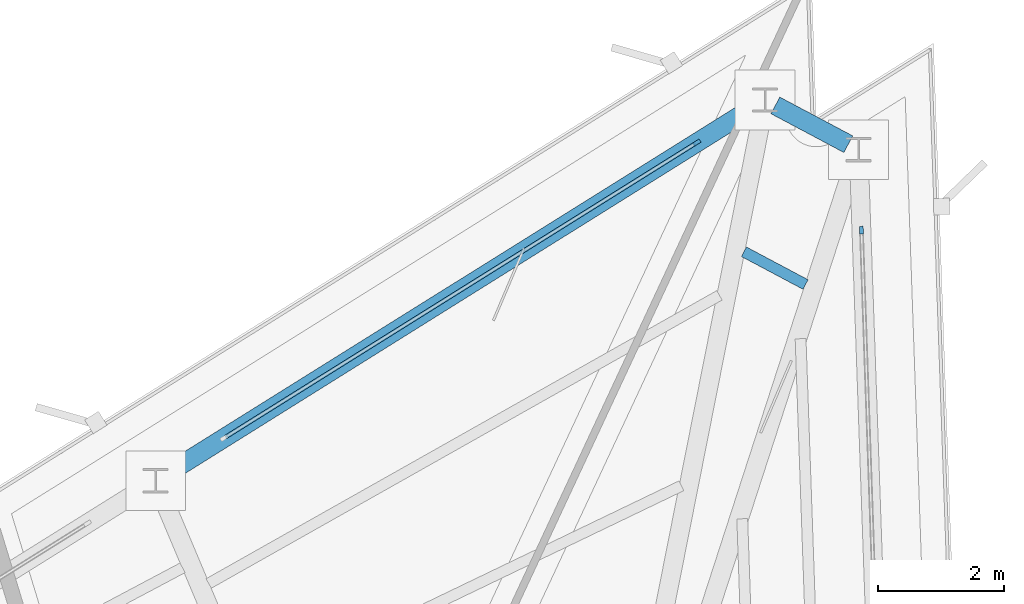
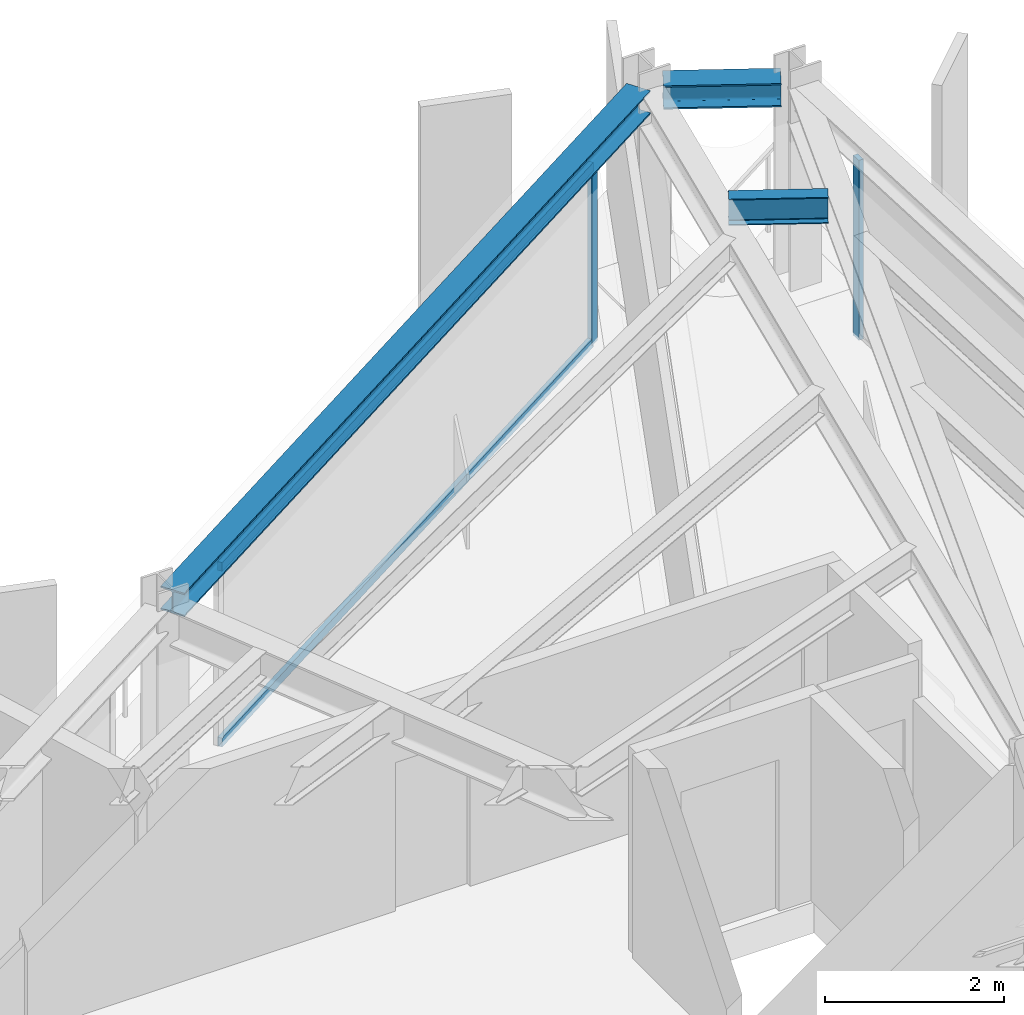
# One storey, part 7 of 13: 4 members, 3 beams, 2 elements without a shape of their own.
"""IFC4 building model written with IfcOpenShell, lengths in metres."""

import ifcopenshell
import ifcopenshell.guid

model = None  # the IFC model being written
_history = None  # IfcOwnerHistory: only IFC2X3 demands one
_inside = {}  # id of a spatial element -> (the spatial element, [elements in it])
_under = {}  # id of a project, library or spatial element -> (it, [spatial elements below it])
_declared = {}  # id of a project -> (the project, [libraries it declares])
_typed = {}  # id of a type object -> (the type object, [elements of that type])
_made_of = {}  # id of a material, layer set ... -> (it, [elements and type objects made of it])


def new_model(schema):
    """Start an empty IFC model of exactly this schema.

    Asked for "IFC4X3", IfcOpenShell would pick the latest addendum, in which some entities
    have other attributes; the version numbers below select the first issue.
    IFC2X3 requires an IfcOwnerHistory on every rooted entity: one is made here for all.
    """
    global model, _history
    if schema == "IFC4X3":
        model = ifcopenshell.file(schema_version=(4, 3, 0, 0))
    else:
        model = ifcopenshell.file(schema=schema)
    _inside.clear()
    _under.clear()
    _declared.clear()
    _typed.clear()
    _made_of.clear()
    _history = None
    if model.schema == "IFC2X3":
        org = make("IfcOrganization", Name="unknown")
        user = make(
            "IfcPersonAndOrganization",
            ThePerson=make("IfcPerson", FamilyName="unknown"),
            TheOrganization=org,
        )
        app = make(
            "IfcApplication",
            ApplicationDeveloper=org,
            Version="unknown",
            ApplicationFullName="unknown",
            ApplicationIdentifier="unknown",
        )
        _history = make(
            "IfcOwnerHistory",
            OwningUser=user,
            OwningApplication=app,
            ChangeAction="ADDED",
            CreationDate=0,
        )
    return model


def make(cls, **values):
    """One entity of the class cls with the attributes given. An attribute that is None is left unset."""
    return model.create_entity(
        cls, **{name: value for name, value in values.items() if value is not None}
    )


def rooted(cls, **values):
    """An entity with a GlobalId (a new one), such as an element, a storey or a relation."""
    return make(cls, GlobalId=ifcopenshell.guid.new(), OwnerHistory=_history, **values)


def si_unit(unit_type, name, prefix=None):
    """IfcSIUnit, for example si_unit("LENGTHUNIT", "METRE", prefix="MILLI")."""
    return make("IfcSIUnit", UnitType=unit_type, Prefix=prefix, Name=name)


def assignment(units):
    """IfcUnitAssignment: the units of a project."""
    return None if units is None else make("IfcUnitAssignment", Units=units)


def point(xyz):
    """IfcCartesianPoint."""
    return None if xyz is None else make("IfcCartesianPoint", Coordinates=xyz)


def direction(xyz):
    """IfcDirection."""
    return None if xyz is None else make("IfcDirection", DirectionRatios=xyz)


def frame(location, z_axis=None, x_axis=None):
    """IfcAxis2Placement3D, a coordinate frame: its origin and axes. An axis left out is left unset."""
    return make(
        "IfcAxis2Placement3D",
        Location=point(location),
        Axis=direction(z_axis),
        RefDirection=direction(x_axis),
    )


def frame_2d(location, x_axis=None):
    """IfcAxis2Placement2D, a coordinate frame in the plane: its origin and x axis."""
    return make(
        "IfcAxis2Placement2D", Location=point(location), RefDirection=direction(x_axis)
    )


def origin():
    """The frame at (0, 0, 0) with its axes left unset."""
    return frame((0.0, 0.0, 0.0))


def origin_2d():
    """The frame at (0, 0) in the plane with its x axis left unset."""
    return frame_2d((0.0, 0.0))


def place(relative_to, where):
    """IfcLocalPlacement: puts the frame where relative to a parent placement (None: the world)."""
    return make(
        "IfcLocalPlacement", PlacementRelTo=relative_to, RelativePlacement=where
    )


def context(
    kind, dimensions, precision=None, world=None, true_north=None, identifier=None
):
    """IfcGeometricRepresentationContext, for example the 3D "Model" context."""
    return make(
        "IfcGeometricRepresentationContext",
        ContextIdentifier=identifier,
        ContextType=kind,
        CoordinateSpaceDimension=dimensions,
        Precision=precision,
        WorldCoordinateSystem=world,
        TrueNorth=true_north,
    )


def subcontext(parent, identifier, kind, view, scale=None):
    """IfcGeometricRepresentationSubContext, for example "Body" below "Model"."""
    return make(
        "IfcGeometricRepresentationSubContext",
        ContextIdentifier=identifier,
        ContextType=kind,
        ParentContext=parent,
        TargetScale=scale,
        TargetView=view,
    )


def project(units=None, contexts=None):
    """IfcProject with its units and contexts."""
    return rooted(
        "IfcProject",
        Name="project",
        RepresentationContexts=contexts,
        UnitsInContext=assignment(units),
    )


def spatial(cls, under=None, at=None, **own):
    """A site, building, storey or space (cls), placed at a placement, below another one or the project."""
    s = rooted(cls, ObjectPlacement=at, **own)
    if under is not None:
        _under.setdefault(under.id(), (under, []))[1].append(s)
    return s


def profile(cls, at=None, kind="AREA", **sizes):
    """A parametric profile (cls). Its sizes go by their IFC names, for example OverallWidth=200.0."""
    return make(cls, ProfileType=kind, Position=at, **sizes)


def rectangle(**sizes):
    """IfcRectangleProfileDef."""
    return profile("IfcRectangleProfileDef", **sizes)


def i_section(**sizes):
    """IfcIShapeProfileDef."""
    return profile("IfcIShapeProfileDef", **sizes)


def extrude(swept, where, along, depth):
    """IfcExtrudedAreaSolid: the profile swept, set in the frame where, extruded along a direction by depth."""
    return make(
        "IfcExtrudedAreaSolid",
        SweptArea=swept,
        Position=where,
        ExtrudedDirection=direction(along),
        Depth=depth,
    )


def shape(context_of_items, identifier, shape_type, items):
    """IfcShapeRepresentation: the items that make up one representation, for example the "Body"."""
    return make(
        "IfcShapeRepresentation",
        ContextOfItems=context_of_items,
        RepresentationIdentifier=identifier,
        RepresentationType=shape_type,
        Items=items,
    )


def material(Name=None, Category=None):
    """IfcMaterial."""
    return make("IfcMaterial", Name=Name, Category=Category)


def layer(
    of_material, thickness, ventilated=None, Name=None, Category=None, Priority=None
):
    """IfcMaterialLayer: one layer of a wall or slab, of a material (None: an air gap)."""
    return make(
        "IfcMaterialLayer",
        Material=of_material,
        LayerThickness=thickness,
        IsVentilated=ventilated,
        Name=Name,
        Category=Category,
        Priority=Priority,
    )


def layer_set(layers, Name=None):
    """IfcMaterialLayerSet."""
    return make("IfcMaterialLayerSet", MaterialLayers=layers, LayerSetName=Name)


def material_profile(
    of_material, cross_section, Name=None, Category=None, Priority=None
):
    """IfcMaterialProfile: a cross section and its material."""
    return make(
        "IfcMaterialProfile",
        Name=Name,
        Material=of_material,
        Profile=cross_section,
        Priority=Priority,
        Category=Category,
    )


def profile_set(profiles, Name=None, composite=None):
    """IfcMaterialProfileSet."""
    return make(
        "IfcMaterialProfileSet",
        Name=Name,
        MaterialProfiles=profiles,
        CompositeProfile=composite,
    )


def made_of(thing, what):
    """Note that an element or type object is made of a material, layer set ...; save() writes the relation."""
    if what is not None:
        _made_of.setdefault(what.id(), (what, []))[1].append(thing)
    return thing


def type_object(cls, material=None, **own):
    """A type object (cls), such as IfcWallType, which elements share."""
    return made_of(rooted(cls, **own), material)


def element(
    cls,
    number,
    at=None,
    inside=None,
    cuts=None,
    type_object=None,
    material=None,
    context=None,
    identifier="Body",
    shape_type=None,
    held_by="IfcProductDefinitionShape",
    body=None,
    shapes=None,
    **own,
):
    """One element of the class cls, such as IfcWall. Its Tag is "e" and its number.

    at: its placement. inside: the storey or other place that contains it. cuts: it is an
    opening in that element (IfcRelVoidsElement). A single representation is given by context,
    identifier, shape_type and body (its items); several are given by shapes. held_by: the class
    of the entity that holds the representations. save() writes the other relations.
    """
    e = rooted(cls, Tag="e%d" % number, ObjectPlacement=at, **own)
    if body is not None:
        shapes = [shape(context, identifier, shape_type, body)]
    if shapes is not None:
        e.Representation = make(held_by, Representations=shapes)
    if inside is not None:
        _inside.setdefault(inside.id(), (inside, []))[1].append(e)
    if cuts is not None:
        rooted(
            "IfcRelVoidsElement", RelatingBuildingElement=cuts, RelatedOpeningElement=e
        )
    if type_object is not None:
        _typed.setdefault(type_object.id(), (type_object, []))[1].append(e)
    return made_of(e, material)


def aggregate(whole, parts):
    """IfcRelAggregates: a whole, such as a stair, and the parts it consists of."""
    return rooted("IfcRelAggregates", RelatingObject=whole, RelatedObjects=parts)


def save(model, path):
    """Write the relations noted so far, then the file.

    IfcRelAggregates (storeys below a building ...), IfcRelContainedInSpatialStructure (elements
    in a storey), IfcRelDefinesByType, IfcRelAssociatesMaterial and IfcRelDeclares: one each for
    every whole, place, type object, material and project.
    """
    for whole, parts in _under.values():
        aggregate(whole, parts)
    for where, things in _inside.values():
        rooted(
            "IfcRelContainedInSpatialStructure",
            RelatedElements=things,
            RelatingStructure=where,
        )
    for kind, things in _typed.values():
        rooted("IfcRelDefinesByType", RelatedObjects=things, RelatingType=kind)
    for what, things in _made_of.values():
        rooted("IfcRelAssociatesMaterial", RelatedObjects=things, RelatingMaterial=what)
    for by, libraries in _declared.values():
        rooted("IfcRelDeclares", RelatingContext=by, RelatedDefinitions=libraries)
    model.write(path)


model = new_model("IFC4")

# Units and contexts
model_context = context("Model", 3, precision=1e-05, world=origin(), true_north=direction((0.0, 1.0)))
body_context = subcontext(model_context, "Body", "Model", "MODEL_VIEW")
ifc_project = project(units=[si_unit("LENGTHUNIT", "METRE"), si_unit("AREAUNIT", "SQUARE_METRE"), si_unit("VOLUMEUNIT", "CUBIC_METRE"), si_unit("PLANEANGLEUNIT", "RADIAN"), si_unit("MASSUNIT", "GRAM", prefix="KILO")], contexts=[model_context])

# Site, building, storey
site_placement = place(None, origin())
site = spatial("IfcSite", under=ifc_project, at=site_placement, CompositionType="ELEMENT")
building_placement = place(site_placement, origin())
building = spatial("IfcBuilding", under=site, at=building_placement, Name="Rocaltana Carrier Exchange", CompositionType="ELEMENT")
storey_placement = place(building_placement, frame((0.0, 0.0, 193.60009765625)))
storey = spatial("IfcBuildingStorey", under=building, at=storey_placement, Name="L61", CompositionType="ELEMENT", Elevation=193.60009765625)

# Curtain wall, member
ifc_material_1 = material(Name="Aluminium 6063-T6", Category="aluminium")
ifc_layer = layer(ifc_material_1, 0.1201171875)
ifc_layer_set = layer_set([ifc_layer], Name="Aluminium 6063-T6")
curtain_wall_type = type_object("IfcCurtainWallType", Name="High-Altitude Thermal Curtain Wall CW-05", PredefinedType="NOTDEFINED", material=ifc_layer_set)
curtain_wall_1_placement = place(storey_placement, origin())
curtain_wall_1 = element("IfcCurtainWall", 1, at=curtain_wall_1_placement, inside=storey, type_object=curtain_wall_type, Name="L61 CW-05 Run CW-L61-F1S3", PredefinedType="NOTDEFINED")
ifc_material_2 = material(Name="Aluminium 6063-T6", Category="aluminium")
ifc_material_profile_1 = material_profile(ifc_material_2, rectangle(XDim=0.06005859375, YDim=0.1201171875, at=origin_2d()), Name="AL-60X120")
ifc_profile_set_1 = profile_set([ifc_material_profile_1], Name="Aluminium 6063-T6")
member_type_1 = type_object("IfcMemberType", Name="CW-05 Mullion AL-60X120", PredefinedType="MULLION", material=ifc_profile_set_1)
member_1_placement = place(storey_placement, frame((10.31396484375, 16.239990234375, 0.0), z_axis=(0.0, 0.0, 1.0), x_axis=(-0.999390720156, -0.034902556738, 0.0)))
member_1 = element("IfcMember", 2, at=member_1_placement, type_object=member_type_1, Name="CW-05 mullion 2", PredefinedType="MULLION", context=body_context, shape_type="SweptSolid", body=[
    extrude(rectangle(XDim=0.06005859375, YDim=0.1201171875, at=origin_2d()), origin(), (0.0, 0.0, 1.0), 2.447998046875),
])
aggregate(curtain_wall_1, [member_1])

# Curtain wall, members
curtain_wall_2_placement = place(storey_placement, origin())
curtain_wall_2 = element("IfcCurtainWall", 3, at=curtain_wall_2_placement, inside=storey, type_object=curtain_wall_type, Name="L61 CW-05 Run CW-L61-F2S1", PredefinedType="NOTDEFINED")
member_2_placement = place(storey_placement, frame((7.696044921875, 17.6318359375, 0.0), z_axis=(0.0, 0.0, 1.0), x_axis=(0.529928503412, -0.848042322807, 0.0)))
member_2 = element("IfcMember", 4, at=member_2_placement, type_object=member_type_1, Name="CW-05 mullion 1", PredefinedType="MULLION", context=body_context, shape_type="SweptSolid", body=[
    extrude(rectangle(XDim=0.06005859375, YDim=0.1201171875, at=origin_2d()), origin(), (0.0, 0.0, 1.0), 2.447998046875),
])
ifc_material_3 = material(Name="Aluminium 6063-T6", Category="aluminium")
ifc_material_profile_2 = material_profile(ifc_material_3, rectangle(XDim=0.06005859375, YDim=0.1201171875, at=origin_2d()), Name="AL-60X120")
ifc_profile_set_2 = profile_set([ifc_material_profile_2], Name="Aluminium 6063-T6")
member_type_2 = type_object("IfcMemberType", Name="CW-05 Transom AL-60X120", PredefinedType="USERDEFINED", material=ifc_profile_set_2)
member_3_placement = place(storey_placement, frame((7.67041015625, 17.615966796875, 0.02978515625), z_axis=(-0.848037208835, -0.529936687192, 0.0), x_axis=(0.529936687192, -0.848037208835, 0.0)))
member_3 = element("IfcMember", 5, at=member_3_placement, type_object=member_type_2, Name="CW-05 transom 1.1", ObjectType="TRANSOM", PredefinedType="USERDEFINED", context=body_context, shape_type="SweptSolid", body=[
    extrude(rectangle(XDim=0.06005859375, YDim=0.1201171875, at=origin_2d()), origin(), (0.0, 0.0, 1.0), 8.813232421875),
])
member_4_placement = place(storey_placement, frame((7.67041015625, 17.615966796875, 2.41796875), z_axis=(-0.848037208835, -0.529936687192, 0.0), x_axis=(0.529936687192, -0.848037208835, 0.0)))
member_4 = element("IfcMember", 6, at=member_4_placement, type_object=member_type_2, Name="CW-05 transom 1.2", ObjectType="TRANSOM", PredefinedType="USERDEFINED", context=body_context, shape_type="SweptSolid", body=[
    extrude(rectangle(XDim=0.06005859375, YDim=0.1201171875, at=origin_2d()), origin(), (0.0, 0.0, 1.0), 8.813232421875),
])
aggregate(curtain_wall_2, [member_2, member_3, member_4])

# Beams
ifc_material_4 = material(Name="Steel S355", Category="steel")
ifc_material_profile_3 = material_profile(ifc_material_4, i_section(OverallWidth=0.172119140625, OverallDepth=0.35791015625, WebThickness=0.0078125, FlangeThickness=0.01318359375, FilletRadius=0.011962890625, at=origin_2d()), Name="W14X38")
ifc_profile_set_3 = profile_set([ifc_material_profile_3], Name="Steel S355")
beam_type_1 = type_object("IfcBeamType", Name="Floor Joist W14X38", PredefinedType="JOIST", material=ifc_profile_set_3)
beam_1_placement = place(storey_placement, frame((9.4248046875, 15.37353515625, 2.618896484375), z_axis=(-0.882979040658, 0.469412413298, 0.0), x_axis=(-0.469412413298, -0.882979040658, 0.0)))
element("IfcBeam", 7, at=beam_1_placement, inside=storey, type_object=beam_type_1, Name="FJ-L61-04-3", PredefinedType="JOIST", context=body_context, shape_type="SweptSolid", body=[
    extrude(i_section(OverallWidth=0.172119140625, OverallDepth=0.35791015625, WebThickness=0.0078125, FlangeThickness=0.01318359375, FilletRadius=0.011962890625, at=origin_2d()), origin(), (0.0, 0.0, 1.0), 1.1103515625),
])
ifc_material_5 = material(Name="Steel S355", Category="steel")
ifc_material_profile_4 = material_profile(ifc_material_5, i_section(OverallWidth=0.300048828125, OverallDepth=0.320068359375, WebThickness=0.011474609375, FlangeThickness=0.0205078125, FilletRadius=0.027099609375, at=origin_2d()), Name="HEB320")
ifc_profile_set_4 = profile_set([ifc_material_profile_4], Name="Steel S355")
beam_type_2 = type_object("IfcBeamType", Name="Spandrel Edge Beam HEB320", PredefinedType="SPANDREL", material=ifc_profile_set_4)
beam_2_placement = place(storey_placement, frame((10.10546875, 17.606201171875, 2.637939453125), z_axis=(-0.883000211898, 0.469372587385, 0.0), x_axis=(-0.469372587385, -0.883000211898, 0.0)))
element("IfcBeam", 8, at=beam_2_placement, inside=storey, type_object=beam_type_2, Name="SP-L61-04", PredefinedType="SPANDREL", context=body_context, shape_type="SweptSolid", body=[
    extrude(i_section(OverallWidth=0.300048828125, OverallDepth=0.320068359375, WebThickness=0.011474609375, FlangeThickness=0.0205078125, FilletRadius=0.027099609375, at=origin_2d()), origin(), (0.0, 0.0, 1.0), 1.31396484375),
])
beam_3_placement = place(storey_placement, frame((8.624267578125, 18.2119140625, 2.637939453125), z_axis=(-0.848040456441, -0.529931490138, 0.0), x_axis=(0.529931490138, -0.848040456441, 0.0)))
element("IfcBeam", 9, at=beam_3_placement, inside=storey, type_object=beam_type_2, Name="SP-L61-05", PredefinedType="SPANDREL", context=body_context, shape_type="SweptSolid", body=[
    extrude(i_section(OverallWidth=0.300048828125, OverallDepth=0.320068359375, WebThickness=0.011474609375, FlangeThickness=0.0205078125, FilletRadius=0.027099609375, at=origin_2d()), origin(), (0.0, 0.0, 1.0), 11.0625),
])

save(model, "model.ifc")
